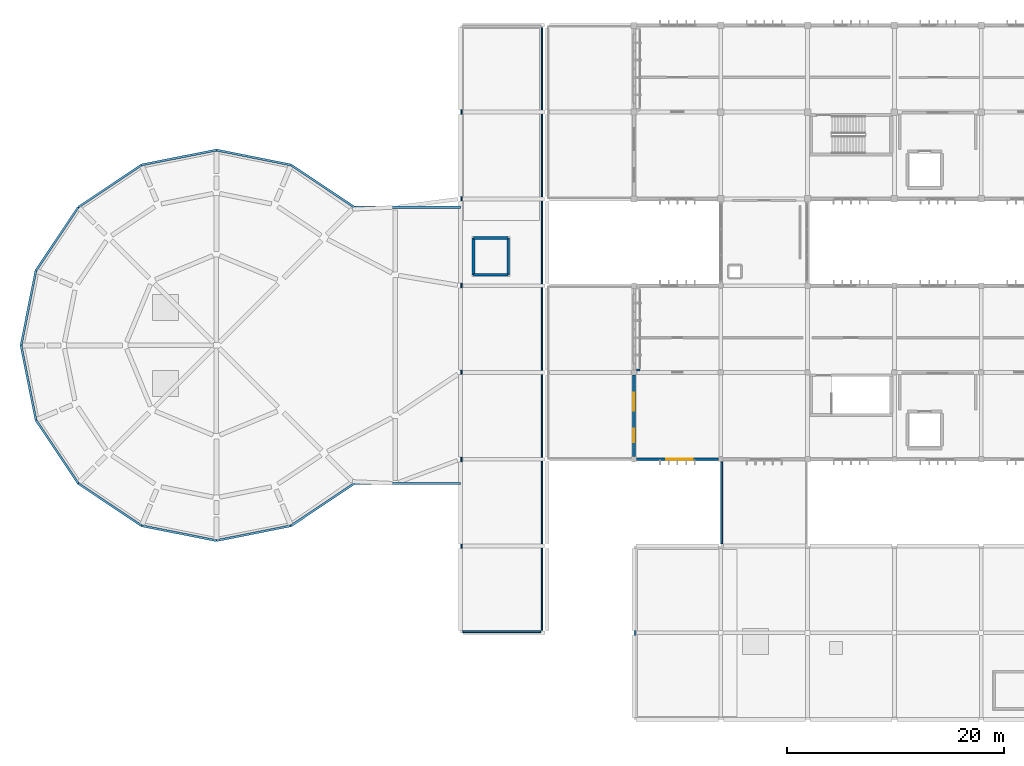
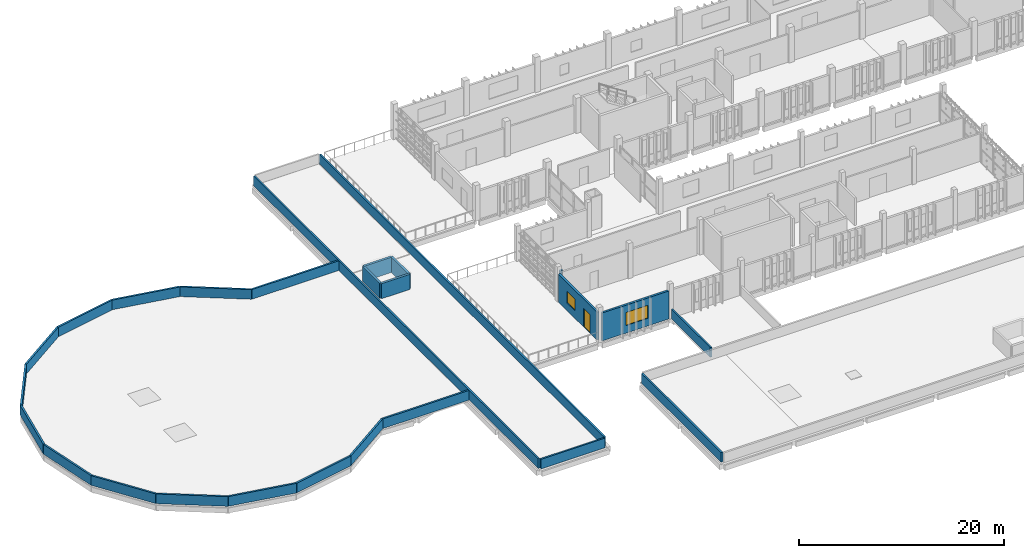
# One storey, part 30 of 48: 26 walls, 2 windows, 1 door, 3 openings.
"""IFC4 building model written with IfcOpenShell, lengths in metres."""

from ifc_helpers import new_model, si_unit, direction, frame, frame_2d, origin, place, context, subcontext, project, spatial, rectangle, extrude, material, layer, layer_set, type_object, element, fill, save


model = new_model("IFC4")

# Units and contexts
model_context = context("Model", 3, precision=1e-05, world=origin(), true_north=direction((0.0, 1.0)))
body_context = subcontext(model_context, "Body", "Model", "MODEL_VIEW")
ifc_project = project(units=[si_unit("LENGTHUNIT", "METRE"), si_unit("AREAUNIT", "SQUARE_METRE"), si_unit("VOLUMEUNIT", "CUBIC_METRE"), si_unit("PLANEANGLEUNIT", "RADIAN"), si_unit("MASSUNIT", "GRAM", prefix="KILO")], contexts=[model_context])

# Site, building, storey
site_placement = place(None, origin())
site = spatial("IfcSite", under=ifc_project, at=site_placement, CompositionType="ELEMENT")
building_placement = place(site_placement, origin())
building = spatial("IfcBuilding", under=site, at=building_placement, Name="Jelvoka-Kovrelna Polytechnic", CompositionType="ELEMENT")
storey_placement = place(building_placement, frame((0.0, 0.0, 22.199951171875)))
storey = spatial("IfcBuildingStorey", under=building, at=storey_placement, Name="L06", CompositionType="ELEMENT", Elevation=22.199951171875)

# Walls
ifc_material_1 = material(Name="Concrete C40/50", Category="concrete")
ifc_layer_1 = layer(ifc_material_1, 0.25)
ifc_layer_set_1 = layer_set([ifc_layer_1], Name="Concrete C40/50")
wall_type_1 = type_object("IfcWallType", Name="Wall_Core_250", PredefinedType="SOLIDWALL", material=ifc_layer_set_1)
wall_1_placement = place(storey_placement, frame((49.199951171875, 49.0, 0.0), z_axis=(0.0, 0.0, 1.0), x_axis=(1.0, 0.0, 0.0)))
element("IfcWall", 1, at=wall_1_placement, inside=storey, type_object=wall_type_1, Name="L06 interior wall 0598", PredefinedType="SOLIDWALL", context=body_context, shape_type="SweptSolid", body=[
    extrude(rectangle(XDim=3.199951171875, YDim=0.25, at=frame_2d((1.60009765625, 0.0))), origin(), (0.0, 0.0, 1.0), 1.800048828125),
])
wall_2_placement = place(storey_placement, frame((52.39990234375, 49.0, 0.0), z_axis=(0.0, 0.0, 1.0), x_axis=(0.0, 1.0, 0.0)))
element("IfcWall", 2, at=wall_2_placement, inside=storey, type_object=wall_type_1, Name="L06 interior wall 0599", PredefinedType="SOLIDWALL", context=body_context, shape_type="SweptSolid", body=[
    extrude(rectangle(XDim=3.39990234375, YDim=0.25, at=frame_2d((1.699951171875, 0.0))), origin(), (0.0, 0.0, 1.0), 1.800048828125),
])
wall_3_placement = place(storey_placement, frame((52.39990234375, 52.39990234375, 0.0), z_axis=(0.0, 0.0, 1.0), x_axis=(-1.0, 0.0, 0.0)))
element("IfcWall", 3, at=wall_3_placement, inside=storey, type_object=wall_type_1, Name="L06 interior wall 0600", PredefinedType="SOLIDWALL", context=body_context, shape_type="SweptSolid", body=[
    extrude(rectangle(XDim=3.199951171875, YDim=0.25, at=frame_2d((1.60009765625, 0.0))), origin(), (0.0, 0.0, 1.0), 1.800048828125),
])
wall_4_placement = place(storey_placement, frame((49.199951171875, 52.39990234375, 0.0), z_axis=(0.0, 0.0, 1.0), x_axis=(0.0, -1.0, 0.0)))
element("IfcWall", 4, at=wall_4_placement, inside=storey, type_object=wall_type_1, Name="L06 interior wall 0601", PredefinedType="SOLIDWALL", context=body_context, shape_type="SweptSolid", body=[
    extrude(rectangle(XDim=3.39990234375, YDim=0.25, at=frame_2d((1.699951171875, 0.0))), origin(), (0.0, 0.0, 1.0), 1.800048828125),
])

# Wall, opening, window
ifc_material_2 = material(Name="Precast concrete C40/50", Category="concrete")
ifc_layer_2 = layer(ifc_material_2, 0.239990234375)
ifc_layer_set_2 = layer_set([ifc_layer_2], Name="Precast concrete C40/50")
wall_type_2 = type_object("IfcWallType", Name="Wall_Ext_White_240", PredefinedType="STANDARD", material=ifc_layer_set_2)
wall_5_placement = place(storey_placement, frame((71.778076171875, 32.0, 0.0), z_axis=(0.0, 0.0, 1.0), x_axis=(-1.0, 0.0, 0.0)))
wall_5 = element("IfcWall", 5, at=wall_5_placement, inside=storey, type_object=wall_type_2, Name="L06 exterior wall 0428", PredefinedType="STANDARD", context=body_context, shape_type="SweptSolid", body=[
    extrude(rectangle(XDim=7.531005859375, YDim=0.239990234375, at=frame_2d((3.765625, 0.0))), origin(), (0.0, 0.0, 1.0), 3.3349609375),
])
opening_1_placement = place(wall_5_placement, frame((2.35791015625, 0.0, 0.89990234375)))
opening_1 = element("IfcOpeningElement", 6, at=opening_1_placement, cuts=wall_5, Name="Opening W-L06-157", PredefinedType="OPENING", context=body_context, shape_type="SweptSolid", body=[
    extrude(rectangle(XDim=2.449951171875, YDim=1.550048828125, at=frame_2d((1.22509765625, 0.77490234375))), frame((0.0, 0.130126953125, 0.0), z_axis=(0.0, -1.0, 0.0), x_axis=(1.0, 0.0, 0.0)), (0.0, 0.0, 1.0), 0.260009765625),
])
ifc_material_3 = material(Name="Thermally broken anodised aluminium and low-e glazing", Category="aluminium")
window_type_1 = type_object("IfcWindowType", Name="Win_Casement_W28", PartitioningType="DOUBLE_PANEL_VERTICAL", PredefinedType="WINDOW", material=ifc_material_3)
window_1_placement = place(opening_1_placement, origin())
window_1 = element("IfcWindow", 7, at=window_1_placement, inside=storey, type_object=window_type_1, Name="L06 aluminium casement window W-L06-157", OverallHeight=1.550048828125, OverallWidth=2.449951171875, PartitioningType="DOUBLE_PANEL_VERTICAL", PredefinedType="WINDOW", context=body_context, shape_type="SweptSolid", body=[
    extrude(rectangle(XDim=2.449951171875, YDim=1.550048828125, at=frame_2d((1.22509765625, 0.77490234375))), frame((0.0, 0.030029296875, 0.0), z_axis=(0.0, -1.0, 0.0), x_axis=(1.0, 0.0, 0.0)), (0.0, 0.0, 1.0), 0.06005859375),
])
fill(opening_1, window_1)

# Wall, openings, door, window
wall_6_placement = place(storey_placement, frame((64.0, 32.2470703125, 0.0), z_axis=(0.0, 0.0, 1.0), x_axis=(0.0, 1.0, 0.0)))
wall_6 = element("IfcWall", 8, at=wall_6_placement, inside=storey, type_object=wall_type_2, Name="L06 exterior wall 0439", PredefinedType="STANDARD", context=body_context, shape_type="SweptSolid", body=[
    extrude(rectangle(XDim=7.531005859375, YDim=0.239990234375, at=frame_2d((3.765625, 0.0))), origin(), (0.0, 0.0, 1.0), 3.3349609375),
])
opening_2_placement = place(wall_6_placement, frame((1.3330078125, 0.0, 0.0)))
opening_2 = element("IfcOpeningElement", 9, at=opening_2_placement, cuts=wall_6, Name="Opening TD-L06-009", PredefinedType="OPENING", context=body_context, shape_type="SweptSolid", body=[
    extrude(rectangle(XDim=1.25, YDim=2.199951171875, at=frame_2d((0.625, 1.10009765625))), frame((0.0, 0.130126953125, 0.0), z_axis=(0.0, -1.0, 0.0), x_axis=(1.0, 0.0, 0.0)), (0.0, 0.0, 1.0), 0.260009765625),
])
opening_3_placement = place(wall_6_placement, frame((4.23291015625, 0.0, 0.89990234375)))
opening_3 = element("IfcOpeningElement", 10, at=opening_3_placement, cuts=wall_6, Name="Opening W-L06-168", PredefinedType="OPENING", context=body_context, shape_type="SweptSolid", body=[
    extrude(rectangle(XDim=1.64990234375, YDim=1.39990234375, at=frame_2d((0.824951171875, 0.699951171875))), frame((0.0, 0.130126953125, 0.0), z_axis=(0.0, -1.0, 0.0), x_axis=(1.0, 0.0, 0.0)), (0.0, 0.0, 1.0), 0.260009765625),
])
ifc_material_4 = material(Name="Powder-coated aluminium and laminated safety glass", Category="aluminium")
door_type = type_object("IfcDoorType", Name="Door_Ext_Terrace_1250x2200", OperationType="NOTDEFINED", PredefinedType="DOOR", material=ifc_material_4)
door_placement = place(opening_2_placement, origin())
door = element("IfcDoor", 11, at=door_placement, inside=storey, type_object=door_type, Name="L06 exterior door TD-L06-009", OperationType="SINGLE_SWING_LEFT", OverallHeight=2.199951171875, OverallWidth=1.25, PredefinedType="DOOR", context=body_context, shape_type="SweptSolid", body=[
    extrude(rectangle(XDim=1.25, YDim=2.199951171875, at=frame_2d((0.625, 1.10009765625))), frame((0.0, 0.02490234375, 0.0), z_axis=(0.0, -1.0, 0.0), x_axis=(1.0, 0.0, 0.0)), (0.0, 0.0, 1.0), 0.050048828125),
])
fill(opening_2, door)
ifc_material_5 = material(Name="Thermally broken anodised aluminium and low-e glazing", Category="aluminium")
window_type_2 = type_object("IfcWindowType", Name="Win_Casement_W14", PartitioningType="DOUBLE_PANEL_VERTICAL", PredefinedType="WINDOW", material=ifc_material_5)
window_2_placement = place(opening_3_placement, origin())
window_2 = element("IfcWindow", 12, at=window_2_placement, inside=storey, type_object=window_type_2, Name="L06 aluminium casement window W-L06-168", OverallHeight=1.39990234375, OverallWidth=1.64990234375, PartitioningType="DOUBLE_PANEL_VERTICAL", PredefinedType="WINDOW", context=body_context, shape_type="SweptSolid", body=[
    extrude(rectangle(XDim=1.64990234375, YDim=1.39990234375, at=frame_2d((0.824951171875, 0.699951171875))), frame((0.0, 0.030029296875, 0.0), z_axis=(0.0, -1.0, 0.0), x_axis=(1.0, 0.0, 0.0)), (0.0, 0.0, 1.0), 0.06005859375),
])
fill(opening_3, window_2)

# Walls
ifc_material_6 = material(Name="Precast concrete C40/50", Category="concrete")
ifc_layer_3 = layer(ifc_material_6, 0.179931640625)
ifc_layer_set_3 = layer_set([ifc_layer_3], Name="Precast concrete C40/50")
wall_type_3 = type_object("IfcWallType", Name="Wall_Parapet_180", PredefinedType="PARAPET", material=ifc_layer_set_3)
wall_7_placement = place(storey_placement, frame((48.219970703125, 16.10009765625, 0.0), z_axis=(0.0, 0.0, 1.0), x_axis=(1.0, 0.0, 0.0)))
element("IfcWall", 13, at=wall_7_placement, inside=storey, type_object=wall_type_3, Name="L06 exterior wall 1199", PredefinedType="PARAPET", context=body_context, shape_type="SweptSolid", body=[
    extrude(rectangle(XDim=7.179931640625, YDim=0.179931640625, at=frame_2d((3.58984375, 0.0))), origin(), (0.0, 0.0, 1.0), 1.150146484375),
])
for number, where, z_axis, x_axis, name in (
    (14, (55.52001953125, 16.219970703125, 0.0), (0.0, 0.0, 1.0), (0.0, 1.0, 0.0), "L06 exterior wall 1200"),
    (15, (48.10009765625, 71.780029296875, 0.0), (0.0, 0.0, 1.0), (0.0, -1.0, 0.0), "L06 exterior wall 1202"),
):
    element("IfcWall", number, at=place(storey_placement, frame(where, z_axis=z_axis, x_axis=x_axis)), inside=storey, type_object=wall_type_3, Name=name, PredefinedType="PARAPET", context=body_context, shape_type="SweptSolid", body=[
        extrude(rectangle(XDim=55.56005859375, YDim=0.179931640625, at=frame_2d((27.780029296875, 0.0))), origin(), (0.0, 0.0, 1.0), 1.150146484375),
    ])
wall_8_placement = place(storey_placement, frame((72.10009765625, 31.780029296875, 0.0), z_axis=(0.0, 0.0, 1.0), x_axis=(0.0, -1.0, 0.0)))
element("IfcWall", 16, at=wall_8_placement, inside=storey, type_object=wall_type_3, Name="L06 exterior wall 1204", PredefinedType="PARAPET", context=body_context, shape_type="SweptSolid", body=[
    extrude(rectangle(XDim=7.56005859375, YDim=0.179931640625, at=frame_2d((3.780029296875, 0.0))), origin(), (0.0, 0.0, 1.0), 1.150146484375),
])
ifc_material_7 = material(Name="Precast concrete C40/50", Category="concrete")
ifc_layer_4 = layer(ifc_material_7, 0.199951171875)
ifc_layer_set_4 = layer_set([ifc_layer_4], Name="Precast concrete C40/50")
wall_type_4 = type_object("IfcWallType", Name="Wall_Parapet_200", PredefinedType="PARAPET", material=ifc_layer_set_4)
wall_9_placement = place(storey_placement, frame((64.239990234375, 40.219970703125, 0.0), z_axis=(0.0, 0.0, 1.0), x_axis=(1.0, 0.0, 0.0)))
element("IfcWall", 17, at=wall_9_placement, inside=storey, type_object=wall_type_4, Name="L06 exterior wall 0440", PredefinedType="PARAPET", context=body_context, shape_type="SweptSolid", body=[
    extrude(rectangle(XDim=0.320068359375, YDim=0.199951171875, at=frame_2d((0.16015625, 0.0))), origin(), (0.0, 0.0, 1.0), 3.35009765625),
])
wall_10_placement = place(storey_placement, frame((64.10009765625, 23.780029296875, 0.0), z_axis=(0.0, 0.0, 1.0), x_axis=(0.0, -1.0, 0.0)))
element("IfcWall", 18, at=wall_10_placement, inside=storey, type_object=wall_type_4, Name="L06 exterior wall 1198", PredefinedType="PARAPET", context=body_context, shape_type="SweptSolid", body=[
    extrude(rectangle(XDim=15.56005859375, YDim=0.199951171875, at=frame_2d((7.780029296875, 0.0))), origin(), (0.0, 0.0, 1.0), 1.150146484375),
])
wall_11_placement = place(storey_placement, frame((48.0, 55.227783203125, 0.0), z_axis=(0.0, 0.0, 1.0), x_axis=(-1.0, 0.0, 0.0)))
element("IfcWall", 19, at=wall_11_placement, inside=storey, type_object=wall_type_4, Name="L06 exterior wall 1224", PredefinedType="PARAPET", context=body_context, shape_type="SweptSolid", body=[
    extrude(rectangle(XDim=9.772216796875, YDim=0.199951171875, at=frame_2d((4.88623046875, 0.0))), origin(), (0.0, 0.0, 1.0), 1.150146484375),
])
wall_12_placement = place(storey_placement, frame((38.227783203125, 55.227783203125, 0.0), z_axis=(0.0, 0.0, 1.0), x_axis=(-0.831456201368, 0.555590303377, 0.0)))
element("IfcWall", 20, at=wall_12_placement, inside=storey, type_object=wall_type_4, Name="L06 exterior wall 1225", PredefinedType="PARAPET", context=body_context, shape_type="SweptSolid", body=[
    extrude(rectangle(XDim=7.0234375, YDim=0.199951171875, at=frame_2d((3.51171875, 0.0))), origin(), (0.0, 0.0, 1.0), 1.150146484375),
])
for number, where, z_axis, x_axis, name in (
    (21, (32.38818359375, 59.1298828125, 0.0), (0.0, 0.0, 1.0), (-0.980786035562, 0.19508652554, 0.0), "L06 exterior wall 1226"),
    (22, (25.5, 60.5, 0.0), (0.0, 0.0, 1.0), (-0.980786035562, -0.19508652554, 0.0), "L06 exterior wall 1227"),
):
    element("IfcWall", number, at=place(storey_placement, frame(where, z_axis=z_axis, x_axis=x_axis)), inside=storey, type_object=wall_type_4, Name=name, PredefinedType="PARAPET", context=body_context, shape_type="SweptSolid", body=[
        extrude(rectangle(XDim=7.023193359375, YDim=0.199951171875, at=frame_2d((3.51171875, 0.0))), origin(), (0.0, 0.0, 1.0), 1.150146484375),
    ])
for number, where, z_axis, x_axis, name in (
    (23, (18.61181640625, 59.1298828125, 0.0), (0.0, 0.0, 1.0), (-0.831456201368, -0.555590303377, 0.0), "L06 exterior wall 1228"),
    (24, (12.772216796875, 55.227783203125, 0.0), (0.0, 0.0, 1.0), (-0.555590303377, -0.831456201368, 0.0), "L06 exterior wall 1229"),
):
    element("IfcWall", number, at=place(storey_placement, frame(where, z_axis=z_axis, x_axis=x_axis)), inside=storey, type_object=wall_type_4, Name=name, PredefinedType="PARAPET", context=body_context, shape_type="SweptSolid", body=[
        extrude(rectangle(XDim=7.0234375, YDim=0.199951171875, at=frame_2d((3.51171875, 0.0))), origin(), (0.0, 0.0, 1.0), 1.150146484375),
    ])
for number, where, z_axis, x_axis, name in (
    (25, (8.8701171875, 49.38818359375, 0.0), (0.0, 0.0, 1.0), (-0.19508652554, -0.980786035562, 0.0), "L06 exterior wall 1230"),
    (26, (7.5, 42.5, 0.0), (0.0, 0.0, 1.0), (0.19508652554, -0.980786035562, 0.0), "L06 exterior wall 1231"),
):
    element("IfcWall", number, at=place(storey_placement, frame(where, z_axis=z_axis, x_axis=x_axis)), inside=storey, type_object=wall_type_4, Name=name, PredefinedType="PARAPET", context=body_context, shape_type="SweptSolid", body=[
        extrude(rectangle(XDim=7.023193359375, YDim=0.199951171875, at=frame_2d((3.51171875, 0.0))), origin(), (0.0, 0.0, 1.0), 1.150146484375),
    ])
for number, where, z_axis, x_axis, name in (
    (27, (8.8701171875, 35.61181640625, 0.0), (0.0, 0.0, 1.0), (0.555590303377, -0.831456201368, 0.0), "L06 exterior wall 1232"),
    (28, (12.772216796875, 29.772216796875, 0.0), (0.0, 0.0, 1.0), (0.831456201368, -0.555590303377, 0.0), "L06 exterior wall 1233"),
):
    element("IfcWall", number, at=place(storey_placement, frame(where, z_axis=z_axis, x_axis=x_axis)), inside=storey, type_object=wall_type_4, Name=name, PredefinedType="PARAPET", context=body_context, shape_type="SweptSolid", body=[
        extrude(rectangle(XDim=7.0234375, YDim=0.199951171875, at=frame_2d((3.51171875, 0.0))), origin(), (0.0, 0.0, 1.0), 1.150146484375),
    ])
for number, where, z_axis, x_axis, name in (
    (29, (18.61181640625, 25.8701171875, 0.0), (0.0, 0.0, 1.0), (0.980786035562, -0.19508652554, 0.0), "L06 exterior wall 1234"),
    (30, (25.5, 24.5, 0.0), (0.0, 0.0, 1.0), (0.980786035562, 0.19508652554, 0.0), "L06 exterior wall 1235"),
):
    element("IfcWall", number, at=place(storey_placement, frame(where, z_axis=z_axis, x_axis=x_axis)), inside=storey, type_object=wall_type_4, Name=name, PredefinedType="PARAPET", context=body_context, shape_type="SweptSolid", body=[
        extrude(rectangle(XDim=7.023193359375, YDim=0.199951171875, at=frame_2d((3.51171875, 0.0))), origin(), (0.0, 0.0, 1.0), 1.150146484375),
    ])
wall_13_placement = place(storey_placement, frame((32.38818359375, 25.8701171875, 0.0), z_axis=(0.0, 0.0, 1.0), x_axis=(0.831456201368, 0.555590303377, 0.0)))
element("IfcWall", 31, at=wall_13_placement, inside=storey, type_object=wall_type_4, Name="L06 exterior wall 1236", PredefinedType="PARAPET", context=body_context, shape_type="SweptSolid", body=[
    extrude(rectangle(XDim=7.0234375, YDim=0.199951171875, at=frame_2d((3.51171875, 0.0))), origin(), (0.0, 0.0, 1.0), 1.150146484375),
])
wall_14_placement = place(storey_placement, frame((38.227783203125, 29.772216796875, 0.0), z_axis=(0.0, 0.0, 1.0), x_axis=(1.0, 0.0, 0.0)))
element("IfcWall", 32, at=wall_14_placement, inside=storey, type_object=wall_type_4, Name="L06 exterior wall 1237", PredefinedType="PARAPET", context=body_context, shape_type="SweptSolid", body=[
    extrude(rectangle(XDim=9.772216796875, YDim=0.199951171875, at=frame_2d((4.88623046875, 0.0))), origin(), (0.0, 0.0, 1.0), 1.150146484375),
])

save(model, "model.ifc")
